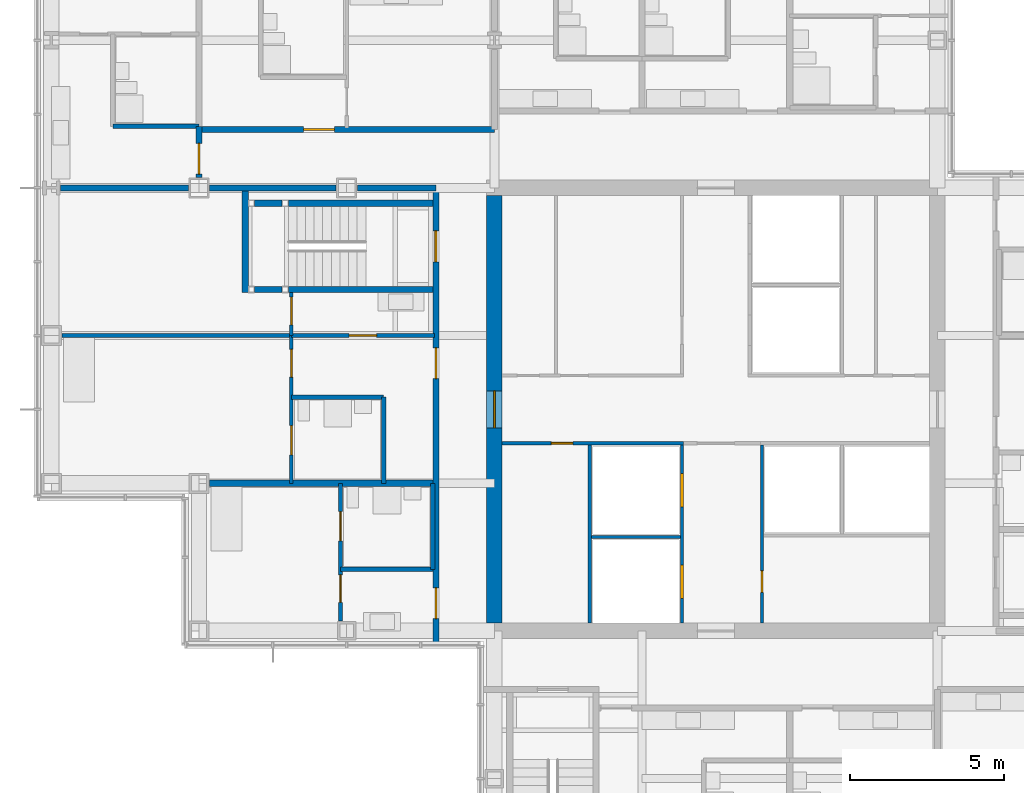
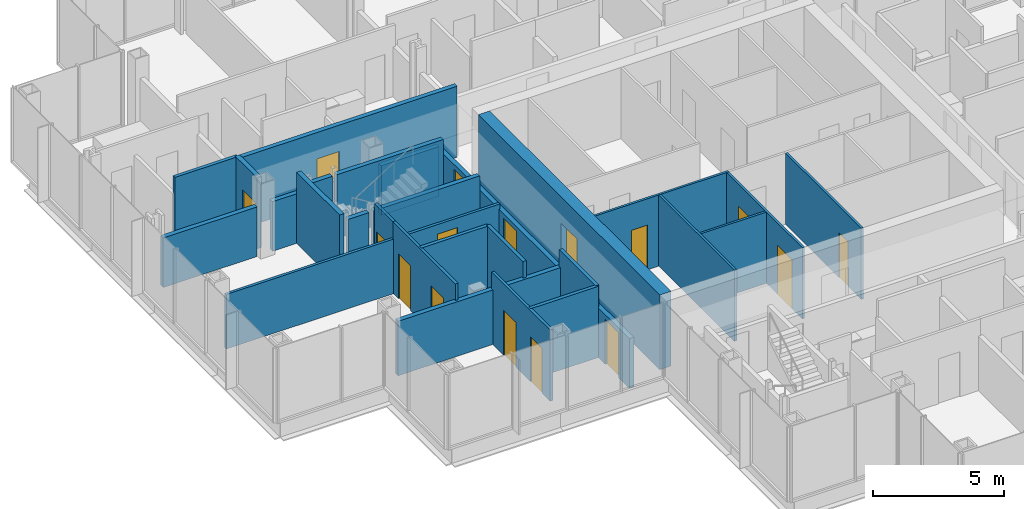
# One storey, part 14 of 20: 28 walls, 16 doors, 16 openings.
"""IFC4 building model written with IfcOpenShell, lengths in metres."""

from ifc_helpers import new_model, si_unit, direction, frame, frame_2d, origin, place, context, subcontext, project, spatial, rectangle, extrude, material, layer, layer_set, type_object, element, fill, save


model = new_model("IFC4")

# Units and contexts
model_context = context("Model", 3, precision=1e-05, world=origin(), true_north=direction((0.0, 1.0)))
body_context = subcontext(model_context, "Body", "Model", "MODEL_VIEW")
ifc_project = project(units=[si_unit("LENGTHUNIT", "METRE"), si_unit("AREAUNIT", "SQUARE_METRE"), si_unit("VOLUMEUNIT", "CUBIC_METRE"), si_unit("PLANEANGLEUNIT", "RADIAN"), si_unit("MASSUNIT", "GRAM", prefix="KILO")], contexts=[model_context])

# Site, building, storey
site_placement = place(None, origin())
site = spatial("IfcSite", under=ifc_project, at=site_placement, CompositionType="ELEMENT")
building_placement = place(site_placement, origin())
building = spatial("IfcBuilding", under=site, at=building_placement, Name="Kvirike Care Tower", CompositionType="ELEMENT")
storey_placement = place(building_placement, frame((0.0, 0.0, 101.5)))
storey = spatial("IfcBuildingStorey", under=building, at=storey_placement, Name="L27", CompositionType="ELEMENT", Elevation=101.5)

# Walls
ifc_material_1 = material(Name="Moisture-resistant board partition", Category="gypsum")
ifc_layer_1 = layer(ifc_material_1, 0.14990234375)
ifc_layer_set_1 = layer_set([ifc_layer_1], Name="BATHROOM WALL 150")
wall_type_1 = type_object("IfcWallType", Name="BATHROOM WALL 150", PredefinedType="PARTITIONING", material=ifc_layer_set_1)
wall_1_placement = place(storey_placement, frame((7.800048828125, 36.39990234375, 0.0), z_axis=(0.0, 0.0, 1.0), x_axis=(1.0, 0.0, 0.0)))
element("IfcWall", 1, at=wall_1_placement, inside=storey, type_object=wall_type_1, Name="Bathroom Wall 150 L27", PredefinedType="PARTITIONING", context=body_context, shape_type="SweptSolid", body=[
    extrude(rectangle(XDim=3.0, YDim=0.14990234375, at=frame_2d((1.5, 0.0))), origin(), (0.0, 0.0, 1.0), 3.330078125),
])
wall_2_placement = place(storey_placement, frame((10.800048828125, 36.39990234375, 0.0), z_axis=(0.0, 0.0, 1.0), x_axis=(0.0, -1.0, 0.0)))
element("IfcWall", 2, at=wall_2_placement, inside=storey, type_object=wall_type_1, Name="Bathroom Wall 150 L27", PredefinedType="PARTITIONING", context=body_context, shape_type="SweptSolid", body=[
    extrude(rectangle(XDim=2.7998046875, YDim=0.14990234375, at=frame_2d((1.39990234375, 0.0))), origin(), (0.0, 0.0, 1.0), 3.330078125),
])
wall_3_placement = place(storey_placement, frame((9.39990234375, 30.800048828125, 0.0), z_axis=(0.0, 0.0, 1.0), x_axis=(1.0, 0.0, 0.0)))
element("IfcWall", 3, at=wall_3_placement, inside=storey, type_object=wall_type_1, Name="Bathroom Wall 150 L27", PredefinedType="PARTITIONING", context=body_context, shape_type="SweptSolid", body=[
    extrude(rectangle(XDim=3.0, YDim=0.14990234375, at=frame_2d((1.5, 0.0))), origin(), (0.0, 0.0, 1.0), 3.330078125),
])
for number, where, z_axis, x_axis, name in (
    (4, (12.39990234375, 33.60009765625, 0.0), (0.0, 0.0, 1.0), (0.0, -1.0, 0.0), "Bathroom Wall 150 L27"),
    (5, (4.800048828125, 45.199951171875, 0.0), (0.0, 0.0, 1.0), (-1.0, 0.0, 0.0), "Bathroom Wall 150 L27"),
):
    element("IfcWall", number, at=place(storey_placement, frame(where, z_axis=z_axis, x_axis=x_axis)), inside=storey, type_object=wall_type_1, Name=name, PredefinedType="PARTITIONING", context=body_context, shape_type="SweptSolid", body=[
        extrude(rectangle(XDim=2.800048828125, YDim=0.14990234375, at=frame_2d((1.39990234375, 0.0))), origin(), (0.0, 0.0, 1.0), 3.330078125),
    ])

# Wall, opening, door
ifc_material_2 = material(Name="Concrete C50/60", Category="concrete")
ifc_layer_2 = layer(ifc_material_2, 0.5)
ifc_layer_set_2 = layer_set([ifc_layer_2], Name="CORE WALL 500 C50-60")
wall_type_2 = type_object("IfcWallType", Name="CORE WALL 500 C50-60", PredefinedType="SHEAR", material=ifc_layer_set_2)
wall_4_placement = place(storey_placement, frame((14.39990234375, 42.949951171875, -0.169921875), z_axis=(0.0, 0.0, 1.0), x_axis=(0.0, -1.0, 0.0)))
wall_4 = element("IfcWall", 6, at=wall_4_placement, inside=storey, type_object=wall_type_2, Name="Core wall W L27", PredefinedType="SHEAR", context=body_context, shape_type="SweptSolid", body=[
    extrude(rectangle(XDim=13.89990234375, YDim=0.5, at=frame_2d((6.949951171875, 0.0))), origin(), (0.0, 0.0, 1.0), 3.5),
])
opening_1_placement = place(wall_4_placement, frame((6.35009765625, 0.0, 0.169921875)))
opening_1 = element("IfcOpeningElement", 7, at=opening_1_placement, cuts=wall_4, Name="Opening 27-065", PredefinedType="OPENING", context=body_context, shape_type="SweptSolid", body=[
    extrude(rectangle(XDim=1.199951171875, YDim=2.10009765625, at=frame_2d((0.60009765625, 1.050048828125))), frame((0.0, 0.260498046875, 0.0), z_axis=(0.0, -1.0, 0.0), x_axis=(1.0, 0.0, 0.0)), (0.0, 0.0, 1.0), 0.52099609375),
])
ifc_material_3 = material(Name="Timber door set", Category="wood")
door_type_1 = type_object("IfcDoorType", Name="CORE DOOR 1200", OperationType="SINGLE_SWING_LEFT", PredefinedType="DOOR", material=ifc_material_3)
door_1_placement = place(opening_1_placement, origin())
door_1 = element("IfcDoor", 8, at=door_1_placement, inside=storey, type_object=door_type_1, Name="Core door W L27", OperationType="SINGLE_SWING_LEFT", OverallHeight=2.10009765625, OverallWidth=1.199951171875, PredefinedType="DOOR", context=body_context, shape_type="SweptSolid", body=[
    extrude(rectangle(XDim=1.199951171875, YDim=2.10009765625, at=frame_2d((0.60009765625, 1.050048828125))), frame((0.0, 0.02685546875, 0.0), z_axis=(0.0, -1.0, 0.0), x_axis=(1.0, 0.0, 0.0)), (0.0, 0.0, 1.0), 0.053955078125),
])
fill(opening_1, door_1)

# Wall, openings, doors
ifc_material_4 = material(Name="Plasterboard corridor wall", Category="gypsum")
ifc_layer_3 = layer(ifc_material_4, 0.199951171875)
ifc_layer_set_3 = layer_set([ifc_layer_3], Name="CORRIDOR WALL 200")
wall_type_3 = type_object("IfcWallType", Name="CORRIDOR WALL 200", PredefinedType="PARTITIONING", material=ifc_layer_set_3)
wall_5_placement = place(storey_placement, frame((12.5, 43.199951171875, 0.0), z_axis=(0.0, 0.0, 1.0), x_axis=(0.0, -1.0, 0.0)))
wall_5 = element("IfcWall", 9, at=wall_5_placement, inside=storey, type_object=wall_type_3, Name="Corridor Wall 200 L27", PredefinedType="PARTITIONING", context=body_context, shape_type="SweptSolid", body=[
    extrude(rectangle(XDim=14.83984375, YDim=0.199951171875, at=frame_2d((7.419921875, 0.0))), origin(), (0.0, 0.0, 1.0), 2.320068359375),
])
opening_2_placement = place(wall_5_placement, frame((1.39990234375, 0.0, 0.0)))
opening_2 = element("IfcOpeningElement", 10, at=opening_2_placement, cuts=wall_5, Name="Opening 27-007", PredefinedType="OPENING", context=body_context, shape_type="SweptSolid", body=[
    extrude(rectangle(XDim=1.0, YDim=2.10009765625, at=frame_2d((0.5, 1.050048828125))), frame((0.0, 0.110595703125, 0.0), z_axis=(0.0, -1.0, 0.0), x_axis=(1.0, 0.0, 0.0)), (0.0, 0.0, 1.0), 0.220947265625),
])
opening_3_placement = place(wall_5_placement, frame((5.199951171875, 0.0, 0.0)))
opening_3 = element("IfcOpeningElement", 11, at=opening_3_placement, cuts=wall_5, Name="Opening 27-008", PredefinedType="OPENING", context=body_context, shape_type="SweptSolid", body=[
    extrude(rectangle(XDim=1.0, YDim=2.10009765625, at=frame_2d((0.5, 1.050048828125))), frame((0.0, 0.110595703125, 0.0), z_axis=(0.0, -1.0, 0.0), x_axis=(1.0, 0.0, 0.0)), (0.0, 0.0, 1.0), 0.220947265625),
])
opening_4_placement = place(wall_5_placement, frame((13.0, 0.0, 0.0)))
opening_4 = element("IfcOpeningElement", 12, at=opening_4_placement, cuts=wall_5, Name="Opening 27-009", PredefinedType="OPENING", context=body_context, shape_type="SweptSolid", body=[
    extrude(rectangle(XDim=1.0, YDim=2.10009765625, at=frame_2d((0.5, 1.050048828125))), frame((0.0, 0.110595703125, 0.0), z_axis=(0.0, -1.0, 0.0), x_axis=(1.0, 0.0, 0.0)), (0.0, 0.0, 1.0), 0.220947265625),
])
ifc_material_5 = material(Name="Timber door set", Category="wood")
door_type_2 = type_object("IfcDoorType", Name="FLAT ENTRANCE DOOR 1000", OperationType="SINGLE_SWING_LEFT", PredefinedType="DOOR", material=ifc_material_5)
door_2_placement = place(opening_3_placement, frame((1.0, 0.0, 0.0), z_axis=(0.0, 0.0, 1.0), x_axis=(-1.0, 0.0, 0.0)))
door_2 = element("IfcDoor", 13, at=door_2_placement, inside=storey, type_object=door_type_2, Name="Assisted living suite entrance", OperationType="SINGLE_SWING_LEFT", OverallHeight=2.10009765625, OverallWidth=1.0, PredefinedType="DOOR", context=body_context, shape_type="SweptSolid", body=[
    extrude(rectangle(XDim=1.0, YDim=2.10009765625, at=frame_2d((0.5, 1.050048828125))), frame((0.0, 0.02685546875, 0.0), z_axis=(0.0, -1.0, 0.0), x_axis=(1.0, 0.0, 0.0)), (0.0, 0.0, 1.0), 0.053955078125),
])
fill(opening_3, door_2)
door_3_placement = place(opening_4_placement, frame((1.0, 0.0, 0.0), z_axis=(0.0, 0.0, 1.0), x_axis=(-1.0, 0.0, 0.0)))
door_3 = element("IfcDoor", 14, at=door_3_placement, inside=storey, type_object=door_type_2, Name="Assisted living suite entrance", OperationType="SINGLE_SWING_RIGHT", OverallHeight=2.10009765625, OverallWidth=1.0, PredefinedType="DOOR", context=body_context, shape_type="SweptSolid", body=[
    extrude(rectangle(XDim=1.0, YDim=2.10009765625, at=frame_2d((0.5, 1.050048828125))), frame((0.0, 0.02685546875, 0.0), z_axis=(0.0, -1.0, 0.0), x_axis=(1.0, 0.0, 0.0)), (0.0, 0.0, 1.0), 0.053955078125),
])
fill(opening_4, door_3)
ifc_material_6 = material(Name="Timber door set", Category="wood")
door_type_3 = type_object("IfcDoorType", Name="STAIR DOOR 1000", OperationType="SINGLE_SWING_LEFT", PredefinedType="DOOR", material=ifc_material_6)
door_4_placement = place(opening_2_placement, frame((1.0, 0.0, 0.0), z_axis=(0.0, 0.0, 1.0), x_axis=(-1.0, 0.0, 0.0)))
door_4 = element("IfcDoor", 15, at=door_4_placement, inside=storey, type_object=door_type_3, Name="Stair 1 door", OperationType="SINGLE_SWING_LEFT", OverallHeight=2.10009765625, OverallWidth=1.0, PredefinedType="DOOR", context=body_context, shape_type="SweptSolid", body=[
    extrude(rectangle(XDim=1.0, YDim=2.10009765625, at=frame_2d((0.5, 1.050048828125))), frame((0.0, 0.031982421875, 0.0), z_axis=(0.0, -1.0, 0.0), x_axis=(1.0, 0.0, 0.0)), (0.0, 0.0, 1.0), 0.06396484375),
])
fill(opening_2, door_4)

# Wall, opening, door
wall_6_placement = place(storey_placement, frame((14.39990234375, 45.10009765625, 0.0), z_axis=(0.0, 0.0, 1.0), x_axis=(-1.0, 0.0, 0.0)))
wall_6 = element("IfcWall", 16, at=wall_6_placement, inside=storey, type_object=wall_type_3, Name="Corridor Wall 200 L27", PredefinedType="PARTITIONING", context=body_context, shape_type="SweptSolid", body=[
    extrude(rectangle(XDim=9.599853515625, YDim=0.199951171875, at=frame_2d((4.7998046875, 0.0))), origin(), (0.0, 0.0, 1.0), 3.330078125),
])
opening_5_placement = place(wall_6_placement, frame((5.199951171875, 0.0, 0.0)))
opening_5 = element("IfcOpeningElement", 17, at=opening_5_placement, cuts=wall_6, Name="Opening 27-016", PredefinedType="OPENING", context=body_context, shape_type="SweptSolid", body=[
    extrude(rectangle(XDim=1.0, YDim=2.10009765625, at=frame_2d((0.5, 1.050048828125))), frame((0.0, 0.110595703125, 0.0), z_axis=(0.0, -1.0, 0.0), x_axis=(1.0, 0.0, 0.0)), (0.0, 0.0, 1.0), 0.220947265625),
])
door_5_placement = place(opening_5_placement, frame((1.0, 0.0, 0.0), z_axis=(0.0, 0.0, 1.0), x_axis=(-1.0, 0.0, 0.0)))
door_5 = element("IfcDoor", 18, at=door_5_placement, inside=storey, type_object=door_type_2, Name="Accessible assisted living suite entrance", OperationType="SINGLE_SWING_LEFT", OverallHeight=2.10009765625, OverallWidth=1.0, PredefinedType="DOOR", context=body_context, shape_type="SweptSolid", body=[
    extrude(rectangle(XDim=1.0, YDim=2.10009765625, at=frame_2d((0.5, 1.050048828125))), frame((0.0, 0.02685546875, 0.0), z_axis=(0.0, -1.0, 0.0), x_axis=(1.0, 0.0, 0.0)), (0.0, 0.0, 1.0), 0.053955078125),
])
fill(opening_5, door_5)

wall_7_placement = place(storey_placement, frame((4.800048828125, 45.199951171875, 0.0), z_axis=(0.0, 0.0, 1.0), x_axis=(0.0, -1.0, 0.0)))
wall_7 = element("IfcWall", 19, at=wall_7_placement, inside=storey, type_object=wall_type_3, Name="Corridor Wall 200 L27", PredefinedType="PARTITIONING", context=body_context, shape_type="SweptSolid", body=[
    extrude(rectangle(XDim=1.655029296875, YDim=0.199951171875, at=frame_2d((0.82763671875, 0.0))), origin(), (0.0, 0.0, 1.0), 3.330078125),
])
opening_6_placement = place(wall_7_placement, frame((0.550048828125, 0.0, 0.0)))
opening_6 = element("IfcOpeningElement", 20, at=opening_6_placement, cuts=wall_7, Name="Opening 27-017", PredefinedType="OPENING", context=body_context, shape_type="SweptSolid", body=[
    extrude(rectangle(XDim=1.0, YDim=2.10009765625, at=frame_2d((0.5, 1.050048828125))), frame((0.0, 0.110595703125, 0.0), z_axis=(0.0, -1.0, 0.0), x_axis=(1.0, 0.0, 0.0)), (0.0, 0.0, 1.0), 0.220947265625),
])
door_6_placement = place(opening_6_placement, frame((1.0, 0.0, 0.0), z_axis=(0.0, 0.0, 1.0), x_axis=(-1.0, 0.0, 0.0)))
door_6 = element("IfcDoor", 21, at=door_6_placement, inside=storey, type_object=door_type_2, Name="Assisted living suite entrance", OperationType="SINGLE_SWING_RIGHT", OverallHeight=2.10009765625, OverallWidth=1.0, PredefinedType="DOOR", context=body_context, shape_type="SweptSolid", body=[
    extrude(rectangle(XDim=1.0, YDim=2.10009765625, at=frame_2d((0.5, 1.050048828125))), frame((0.0, 0.02685546875, 0.0), z_axis=(0.0, -1.0, 0.0), x_axis=(1.0, 0.0, 0.0)), (0.0, 0.0, 1.0), 0.053955078125),
])
fill(opening_6, door_6)

ifc_material_7 = material(Name="Plasterboard partition", Category="gypsum")
ifc_layer_4 = layer(ifc_material_7, 0.1201171875)
ifc_layer_set_4 = layer_set([ifc_layer_4], Name="PARTITION 120")
wall_type_4 = type_object("IfcWallType", Name="PARTITION 120", PredefinedType="PARTITIONING", material=ifc_layer_set_4)
wall_8_placement = place(storey_placement, frame((7.800048828125, 38.39990234375, 0.0), z_axis=(0.0, 0.0, 1.0), x_axis=(1.0, 0.0, 0.0)))
wall_8 = element("IfcWall", 22, at=wall_8_placement, inside=storey, type_object=wall_type_4, Name="Partition 120 L27", PredefinedType="PARTITIONING", context=body_context, shape_type="SweptSolid", body=[
    extrude(rectangle(XDim=4.64990234375, YDim=0.1201171875, at=frame_2d((2.324951171875, 0.0))), origin(), (0.0, 0.0, 1.0), 2.550048828125),
])
opening_7_placement = place(wall_8_placement, frame((1.875, 0.0, 0.0)))
opening_7 = element("IfcOpeningElement", 23, at=opening_7_placement, cuts=wall_8, Name="Opening 27-001", PredefinedType="OPENING", context=body_context, shape_type="SweptSolid", body=[
    extrude(rectangle(XDim=0.89990234375, YDim=2.10009765625, at=frame_2d((0.449951171875, 1.050048828125))), frame((0.0, 0.070556640625, 0.0), z_axis=(0.0, -1.0, 0.0), x_axis=(1.0, 0.0, 0.0)), (0.0, 0.0, 1.0), 0.14111328125),
])
ifc_material_8 = material(Name="Timber door set", Category="wood")
door_type_4 = type_object("IfcDoorType", Name="INTERNAL DOOR 900", OperationType="SINGLE_SWING_LEFT", PredefinedType="DOOR", material=ifc_material_8)
door_7_placement = place(opening_7_placement, origin())
door_7 = element("IfcDoor", 24, at=door_7_placement, inside=storey, type_object=door_type_4, Name="Hall door", OperationType="SINGLE_SWING_LEFT", OverallHeight=2.10009765625, OverallWidth=0.89990234375, PredefinedType="DOOR", context=body_context, shape_type="SweptSolid", body=[
    extrude(rectangle(XDim=0.89990234375, YDim=2.10009765625, at=frame_2d((0.449951171875, 1.050048828125))), frame((0.0, 0.02197265625, 0.0), z_axis=(0.0, -1.0, 0.0), x_axis=(1.0, 0.0, 0.0)), (0.0, 0.0, 1.0), 0.0439453125),
])
fill(opening_7, door_7)

wall_9_placement = place(storey_placement, frame((7.800048828125, 39.800048828125, 0.0), z_axis=(0.0, 0.0, 1.0), x_axis=(0.0, -1.0, 0.0)))
wall_9 = element("IfcWall", 25, at=wall_9_placement, inside=storey, type_object=wall_type_4, Name="Partition 120 L27", PredefinedType="PARTITIONING", context=body_context, shape_type="SweptSolid", body=[
    extrude(rectangle(XDim=1.400146484375, YDim=0.1201171875, at=frame_2d((0.7001953125, 0.0))), origin(), (0.0, 0.0, 1.0), 3.330078125),
])
opening_8_placement = place(wall_9_placement, frame((0.14990234375, 0.0, 0.0)))
opening_8 = element("IfcOpeningElement", 26, at=opening_8_placement, cuts=wall_9, Name="Opening 27-002", PredefinedType="OPENING", context=body_context, shape_type="SweptSolid", body=[
    extrude(rectangle(XDim=0.89990234375, YDim=2.10009765625, at=frame_2d((0.449951171875, 1.050048828125))), frame((0.0, 0.070556640625, 0.0), z_axis=(0.0, -1.0, 0.0), x_axis=(1.0, 0.0, 0.0)), (0.0, 0.0, 1.0), 0.14111328125),
])
door_8_placement = place(opening_8_placement, origin())
door_8 = element("IfcDoor", 27, at=door_8_placement, inside=storey, type_object=door_type_4, Name="Suite sitting room door", OperationType="SINGLE_SWING_RIGHT", OverallHeight=2.10009765625, OverallWidth=0.89990234375, PredefinedType="DOOR", context=body_context, shape_type="SweptSolid", body=[
    extrude(rectangle(XDim=0.89990234375, YDim=2.10009765625, at=frame_2d((0.449951171875, 1.050048828125))), frame((0.0, 0.02197265625, 0.0), z_axis=(0.0, -1.0, 0.0), x_axis=(1.0, 0.0, 0.0)), (0.0, 0.0, 1.0), 0.0439453125),
])
fill(opening_8, door_8)

# Wall, openings, doors
wall_10_placement = place(storey_placement, frame((7.800048828125, 38.39990234375, 0.0), z_axis=(0.0, 0.0, 1.0), x_axis=(0.0, -1.0, 0.0)))
wall_10 = element("IfcWall", 28, at=wall_10_placement, inside=storey, type_object=wall_type_4, Name="Partition 120 L27", PredefinedType="PARTITIONING", context=body_context, shape_type="SweptSolid", body=[
    extrude(rectangle(XDim=4.7998046875, YDim=0.1201171875, at=frame_2d((2.39990234375, 0.0))), origin(), (0.0, 0.0, 1.0), 3.330078125),
])
opening_9_placement = place(wall_10_placement, frame((0.449951171875, 0.0, 0.0)))
opening_9 = element("IfcOpeningElement", 29, at=opening_9_placement, cuts=wall_10, Name="Opening 27-003", PredefinedType="OPENING", context=body_context, shape_type="SweptSolid", body=[
    extrude(rectangle(XDim=0.89990234375, YDim=2.10009765625, at=frame_2d((0.449951171875, 1.050048828125))), frame((0.0, 0.070556640625, 0.0), z_axis=(0.0, -1.0, 0.0), x_axis=(1.0, 0.0, 0.0)), (0.0, 0.0, 1.0), 0.14111328125),
])
opening_10_placement = place(wall_10_placement, frame((2.925048828125, 0.0, 0.0)))
opening_10 = element("IfcOpeningElement", 30, at=opening_10_placement, cuts=wall_10, Name="Opening 27-004", PredefinedType="OPENING", context=body_context, shape_type="SweptSolid", body=[
    extrude(rectangle(XDim=0.949951171875, YDim=2.10009765625, at=frame_2d((0.47509765625, 1.050048828125))), frame((0.0, 0.070556640625, 0.0), z_axis=(0.0, -1.0, 0.0), x_axis=(1.0, 0.0, 0.0)), (0.0, 0.0, 1.0), 0.14111328125),
])
ifc_material_9 = material(Name="Timber door set", Category="wood")
door_type_5 = type_object("IfcDoorType", Name="EN-SUITE SLIDING DOOR 950", OperationType="SLIDING_TO_LEFT", PredefinedType="DOOR", material=ifc_material_9)
door_9_placement = place(opening_10_placement, origin())
door_9 = element("IfcDoor", 31, at=door_9_placement, inside=storey, type_object=door_type_5, Name="En-suite door", OperationType="SLIDING_TO_LEFT", OverallHeight=2.10009765625, OverallWidth=0.949951171875, PredefinedType="DOOR", context=body_context, shape_type="SweptSolid", body=[
    extrude(rectangle(XDim=0.949951171875, YDim=2.10009765625, at=frame_2d((0.47509765625, 1.050048828125))), frame((0.0, 0.02197265625, 0.0), z_axis=(0.0, -1.0, 0.0), x_axis=(1.0, 0.0, 0.0)), (0.0, 0.0, 1.0), 0.0439453125),
])
fill(opening_10, door_9)
door_10_placement = place(opening_9_placement, origin())
door_10 = element("IfcDoor", 32, at=door_10_placement, inside=storey, type_object=door_type_4, Name="Assisted living suite door", OperationType="SINGLE_SWING_RIGHT", OverallHeight=2.10009765625, OverallWidth=0.89990234375, PredefinedType="DOOR", context=body_context, shape_type="SweptSolid", body=[
    extrude(rectangle(XDim=0.89990234375, YDim=2.10009765625, at=frame_2d((0.449951171875, 1.050048828125))), frame((0.0, 0.02197265625, 0.0), z_axis=(0.0, -1.0, 0.0), x_axis=(1.0, 0.0, 0.0)), (0.0, 0.0, 1.0), 0.0439453125),
])
fill(opening_9, door_10)

# Wall
wall_11_placement = place(storey_placement, frame((0.344970703125, 38.39990234375, 0.0), z_axis=(0.0, 0.0, 1.0), x_axis=(1.0, 0.0, 0.0)))
element("IfcWall", 33, at=wall_11_placement, inside=storey, type_object=wall_type_4, Name="Partition 120 L27", PredefinedType="PARTITIONING", context=body_context, shape_type="SweptSolid", body=[
    extrude(rectangle(XDim=7.455078125, YDim=0.1201171875, at=frame_2d((3.7275390625, 0.0))), origin(), (0.0, 0.0, 1.0), 2.550048828125),
])

# Wall, openings, doors
wall_12_placement = place(storey_placement, frame((9.39990234375, 33.60009765625, 0.0), z_axis=(0.0, 0.0, 1.0), x_axis=(0.0, -1.0, 0.0)))
wall_12 = element("IfcWall", 34, at=wall_12_placement, inside=storey, type_object=wall_type_4, Name="Partition 120 L27", PredefinedType="PARTITIONING", context=body_context, shape_type="SweptSolid", body=[
    extrude(rectangle(XDim=4.47998046875, YDim=0.1201171875, at=frame_2d((2.239990234375, 0.0))), origin(), (0.0, 0.0, 1.0), 3.330078125),
])
opening_11_placement = place(wall_12_placement, frame((2.97509765625, 0.0, 0.0)))
opening_11 = element("IfcOpeningElement", 35, at=opening_11_placement, cuts=wall_12, Name="Opening 27-005", PredefinedType="OPENING", context=body_context, shape_type="SweptSolid", body=[
    extrude(rectangle(XDim=0.89990234375, YDim=2.10009765625, at=frame_2d((0.449951171875, 1.050048828125))), frame((0.0, 0.070556640625, 0.0), z_axis=(0.0, -1.0, 0.0), x_axis=(1.0, 0.0, 0.0)), (0.0, 0.0, 1.0), 0.14111328125),
])
opening_12_placement = place(wall_12_placement, frame((0.925048828125, 0.0, 0.0)))
opening_12 = element("IfcOpeningElement", 36, at=opening_12_placement, cuts=wall_12, Name="Opening 27-006", PredefinedType="OPENING", context=body_context, shape_type="SweptSolid", body=[
    extrude(rectangle(XDim=0.949951171875, YDim=2.10009765625, at=frame_2d((0.47509765625, 1.050048828125))), frame((0.0, 0.070556640625, 0.0), z_axis=(0.0, -1.0, 0.0), x_axis=(1.0, 0.0, 0.0)), (0.0, 0.0, 1.0), 0.14111328125),
])
door_11_placement = place(opening_12_placement, origin())
door_11 = element("IfcDoor", 37, at=door_11_placement, inside=storey, type_object=door_type_5, Name="En-suite door", OperationType="SLIDING_TO_RIGHT", OverallHeight=2.10009765625, OverallWidth=0.949951171875, PredefinedType="DOOR", context=body_context, shape_type="SweptSolid", body=[
    extrude(rectangle(XDim=0.949951171875, YDim=2.10009765625, at=frame_2d((0.47509765625, 1.050048828125))), frame((0.0, 0.02197265625, 0.0), z_axis=(0.0, -1.0, 0.0), x_axis=(1.0, 0.0, 0.0)), (0.0, 0.0, 1.0), 0.0439453125),
])
fill(opening_12, door_11)
door_12_placement = place(opening_11_placement, origin())
door_12 = element("IfcDoor", 38, at=door_12_placement, inside=storey, type_object=door_type_4, Name="Assisted living suite door", OperationType="SINGLE_SWING_RIGHT", OverallHeight=2.10009765625, OverallWidth=0.89990234375, PredefinedType="DOOR", context=body_context, shape_type="SweptSolid", body=[
    extrude(rectangle(XDim=0.89990234375, YDim=2.10009765625, at=frame_2d((0.449951171875, 1.050048828125))), frame((0.0, 0.02197265625, 0.0), z_axis=(0.0, -1.0, 0.0), x_axis=(1.0, 0.0, 0.0)), (0.0, 0.0, 1.0), 0.0439453125),
])
fill(opening_11, door_12)

# Walls
ifc_material_10 = material(Name="Plasterboard party wall", Category="gypsum")
ifc_layer_5 = layer(ifc_material_10, 0.199951171875)
ifc_layer_set_5 = layer_set([ifc_layer_5], Name="PARTY WALL 200")
wall_type_5 = type_object("IfcWallType", Name="PARTY WALL 200", PredefinedType="PARTITIONING", material=ifc_layer_set_5)
wall_13_placement = place(storey_placement, frame((5.14501953125, 33.60009765625, 0.0), z_axis=(0.0, 0.0, 1.0), x_axis=(1.0, 0.0, 0.0)))
element("IfcWall", 39, at=wall_13_placement, inside=storey, type_object=wall_type_5, Name="Party Wall 200 L27", PredefinedType="PARTITIONING", context=body_context, shape_type="SweptSolid", body=[
    extrude(rectangle(XDim=7.2548828125, YDim=0.199951171875, at=frame_2d((3.62744140625, 0.0))), origin(), (0.0, 0.0, 1.0), 2.550048828125),
])
wall_14_placement = place(storey_placement, frame((12.5, 43.199951171875, 0.0), z_axis=(0.0, 0.0, 1.0), x_axis=(-1.0, 0.0, 0.0)))
element("IfcWall", 40, at=wall_14_placement, inside=storey, type_object=wall_type_5, Name="Party Wall 200 L27", PredefinedType="PARTITIONING", context=body_context, shape_type="SweptSolid", body=[
    extrude(rectangle(XDim=2.554931640625, YDim=0.199951171875, at=frame_2d((1.27734375, 0.0))), origin(), (0.0, 0.0, 1.0), 2.320068359375),
])
wall_15_placement = place(storey_placement, frame((9.2548828125, 43.199951171875, 0.0), z_axis=(0.0, 0.0, 1.0), x_axis=(-1.0, 0.0, 0.0)))
element("IfcWall", 41, at=wall_15_placement, inside=storey, type_object=wall_type_5, Name="Party Wall 200 L27", PredefinedType="PARTITIONING", context=body_context, shape_type="SweptSolid", body=[
    extrude(rectangle(XDim=4.10986328125, YDim=0.199951171875, at=frame_2d((2.054931640625, 0.0))), origin(), (0.0, 0.0, 1.0), 2.320068359375),
])
wall_16_placement = place(storey_placement, frame((4.455078125, 43.199951171875, 0.0), z_axis=(0.0, 0.0, 1.0), x_axis=(-1.0, 0.0, 0.0)))
element("IfcWall", 42, at=wall_16_placement, inside=storey, type_object=wall_type_5, Name="Party Wall 200 L27", PredefinedType="PARTITIONING", context=body_context, shape_type="SweptSolid", body=[
    extrude(rectangle(XDim=4.150634765625, YDim=0.199951171875, at=frame_2d((2.0751953125, 0.0))), origin(), (0.0, 0.0, 1.0), 2.320068359375),
])

# Wall, openings, doors
ifc_material_11 = material(Name="Gypsum shaft wall system", Category="gypsum")
ifc_layer_6 = layer(ifc_material_11, 0.10009765625)
ifc_layer_set_6 = layer_set([ifc_layer_6], Name="SHAFT WALL 100")
wall_type_6 = type_object("IfcWallType", Name="SHAFT WALL 100", PredefinedType="SOLIDWALL", material=ifc_layer_set_6)
wall_17_placement = place(storey_placement, frame((20.5, 29.050048828125, 0.0), z_axis=(0.0, 0.0, 1.0), x_axis=(0.0, 1.0, 0.0)))
wall_17 = element("IfcWall", 43, at=wall_17_placement, inside=storey, type_object=wall_type_6, Name="Shaft Wall 100 L27", PredefinedType="SOLIDWALL", context=body_context, shape_type="SweptSolid", body=[
    extrude(rectangle(XDim=5.800048828125, YDim=0.10009765625, at=frame_2d((2.89990234375, 0.0))), origin(), (0.0, 0.0, 1.0), 3.330078125),
])
opening_13_placement = place(wall_17_placement, frame((0.800048828125, 0.0, 0.0)))
opening_13 = element("IfcOpeningElement", 44, at=opening_13_placement, cuts=wall_17, Name="Opening 27-052", PredefinedType="OPENING", context=body_context, shape_type="SweptSolid", body=[
    extrude(rectangle(XDim=1.10009765625, YDim=2.300048828125, at=frame_2d((0.550048828125, 1.14990234375))), frame((0.0, 0.060546875, 0.0), z_axis=(0.0, -1.0, 0.0), x_axis=(1.0, 0.0, 0.0)), (0.0, 0.0, 1.0), 0.12109375),
])
opening_14_placement = place(wall_17_placement, frame((3.77490234375, 0.0, 0.0)))
opening_14 = element("IfcOpeningElement", 45, at=opening_14_placement, cuts=wall_17, Name="Opening 27-053", PredefinedType="OPENING", context=body_context, shape_type="SweptSolid", body=[
    extrude(rectangle(XDim=1.10009765625, YDim=2.300048828125, at=frame_2d((0.550048828125, 1.14990234375))), frame((0.0, 0.060546875, 0.0), z_axis=(0.0, -1.0, 0.0), x_axis=(1.0, 0.0, 0.0)), (0.0, 0.0, 1.0), 0.12109375),
])
ifc_material_12 = material(Name="Aluminium door frame", Category="aluminium")
door_type_6 = type_object("IfcDoorType", Name="FIRE-FIGHTING LIFT LANDING DOOR 1100", OperationType="SLIDING_TO_LEFT", PredefinedType="DOOR", material=ifc_material_12)
door_13_placement = place(opening_13_placement, origin())
door_13 = element("IfcDoor", 46, at=door_13_placement, inside=storey, type_object=door_type_6, Name="Lift FF1 landing door", OperationType="SLIDING_TO_LEFT", OverallHeight=2.300048828125, OverallWidth=1.10009765625, PredefinedType="DOOR", context=body_context, shape_type="SweptSolid", body=[
    extrude(rectangle(XDim=1.10009765625, YDim=2.300048828125, at=frame_2d((0.550048828125, 1.14990234375))), frame((0.0, 0.0498046875, 0.0), z_axis=(0.0, -1.0, 0.0), x_axis=(1.0, 0.0, 0.0)), (0.0, 0.0, 1.0), 0.099609375),
])
fill(opening_13, door_13)
door_14_placement = place(opening_14_placement, origin())
door_14 = element("IfcDoor", 47, at=door_14_placement, inside=storey, type_object=door_type_6, Name="Lift FF2 landing door", OperationType="SLIDING_TO_LEFT", OverallHeight=2.300048828125, OverallWidth=1.10009765625, PredefinedType="DOOR", context=body_context, shape_type="SweptSolid", body=[
    extrude(rectangle(XDim=1.10009765625, YDim=2.300048828125, at=frame_2d((0.550048828125, 1.14990234375))), frame((0.0, 0.0498046875, 0.0), z_axis=(0.0, -1.0, 0.0), x_axis=(1.0, 0.0, 0.0)), (0.0, 0.0, 1.0), 0.099609375),
])
fill(opening_14, door_14)

# Wall, opening, door
wall_18_placement = place(storey_placement, frame((23.10009765625, 29.050048828125, 0.0), z_axis=(0.0, 0.0, 1.0), x_axis=(0.0, 1.0, 0.0)))
wall_18 = element("IfcWall", 48, at=wall_18_placement, inside=storey, type_object=wall_type_6, Name="Shaft Wall 100 L27", PredefinedType="SOLIDWALL", context=body_context, shape_type="SweptSolid", body=[
    extrude(rectangle(XDim=5.800048828125, YDim=0.10009765625, at=frame_2d((2.89990234375, 0.0))), origin(), (0.0, 0.0, 1.0), 3.330078125),
])
opening_15_placement = place(wall_18_placement, frame((1.0, 0.0, 0.0)))
opening_15 = element("IfcOpeningElement", 49, at=opening_15_placement, cuts=wall_18, Name="Opening 27-057", PredefinedType="OPENING", context=body_context, shape_type="SweptSolid", body=[
    extrude(rectangle(XDim=0.699951171875, YDim=2.10009765625, at=frame_2d((0.35009765625, 1.050048828125))), frame((0.0, 0.060546875, 0.0), z_axis=(0.0, -1.0, 0.0), x_axis=(1.0, 0.0, 0.0)), (0.0, 0.0, 1.0), 0.12109375),
])
ifc_material_13 = material(Name="Timber door set", Category="wood")
door_type_7 = type_object("IfcDoorType", Name="RISER DOOR 700", OperationType="SINGLE_SWING_LEFT", PredefinedType="DOOR", material=ifc_material_13)
door_15_placement = place(opening_15_placement, origin())
door_15 = element("IfcDoor", 50, at=door_15_placement, inside=storey, type_object=door_type_7, Name="Riser door", OperationType="SINGLE_SWING_RIGHT", OverallHeight=2.10009765625, OverallWidth=0.699951171875, PredefinedType="DOOR", context=body_context, shape_type="SweptSolid", body=[
    extrude(rectangle(XDim=0.699951171875, YDim=2.10009765625, at=frame_2d((0.35009765625, 1.050048828125))), frame((0.0, 0.02685546875, 0.0), z_axis=(0.0, -1.0, 0.0), x_axis=(1.0, 0.0, 0.0)), (0.0, 0.0, 1.0), 0.053955078125),
])
fill(opening_15, door_15)

wall_19_placement = place(storey_placement, frame((14.64990234375, 34.89990234375, 0.0), z_axis=(0.0, 0.0, 1.0), x_axis=(1.0, 0.0, 0.0)))
wall_19 = element("IfcWall", 51, at=wall_19_placement, inside=storey, type_object=wall_type_6, Name="Shaft Wall 100 L27", PredefinedType="SOLIDWALL", context=body_context, shape_type="SweptSolid", body=[
    extrude(rectangle(XDim=5.900146484375, YDim=0.10009765625, at=frame_2d((2.9501953125, 0.0))), origin(), (0.0, 0.0, 1.0), 3.330078125),
])
opening_16_placement = place(wall_19_placement, frame((1.60009765625, 0.0, 0.0)))
opening_16 = element("IfcOpeningElement", 52, at=opening_16_placement, cuts=wall_19, Name="Opening 27-058", PredefinedType="OPENING", context=body_context, shape_type="SweptSolid", body=[
    extrude(rectangle(XDim=0.699951171875, YDim=2.10009765625, at=frame_2d((0.35009765625, 1.050048828125))), frame((0.0, 0.060546875, 0.0), z_axis=(0.0, -1.0, 0.0), x_axis=(1.0, 0.0, 0.0)), (0.0, 0.0, 1.0), 0.12109375),
])
door_16_placement = place(opening_16_placement, frame((0.699951171875, 0.0, 0.0), z_axis=(0.0, 0.0, 1.0), x_axis=(-1.0, 0.0, 0.0)))
door_16 = element("IfcDoor", 53, at=door_16_placement, inside=storey, type_object=door_type_7, Name="Riser door", OperationType="SINGLE_SWING_RIGHT", OverallHeight=2.10009765625, OverallWidth=0.699951171875, PredefinedType="DOOR", context=body_context, shape_type="SweptSolid", body=[
    extrude(rectangle(XDim=0.699951171875, YDim=2.10009765625, at=frame_2d((0.35009765625, 1.050048828125))), frame((0.0, 0.02685546875, 0.0), z_axis=(0.0, -1.0, 0.0), x_axis=(1.0, 0.0, 0.0)), (0.0, 0.0, 1.0), 0.053955078125),
])
fill(opening_16, door_16)

# Walls
wall_20_placement = place(storey_placement, frame((17.5, 29.050048828125, 0.0), z_axis=(0.0, 0.0, 1.0), x_axis=(0.0, 1.0, 0.0)))
element("IfcWall", 54, at=wall_20_placement, inside=storey, type_object=wall_type_6, Name="Shaft Wall 100 L27", PredefinedType="SOLIDWALL", context=body_context, shape_type="SweptSolid", body=[
    extrude(rectangle(XDim=5.800048828125, YDim=0.10009765625, at=frame_2d((2.89990234375, 0.0))), origin(), (0.0, 0.0, 1.0), 3.330078125),
])
wall_21_placement = place(storey_placement, frame((17.550048828125, 31.85009765625, 0.0), z_axis=(0.0, 0.0, 1.0), x_axis=(1.0, 0.0, 0.0)))
element("IfcWall", 55, at=wall_21_placement, inside=storey, type_object=wall_type_6, Name="Shaft Wall 100 L27", PredefinedType="SOLIDWALL", context=body_context, shape_type="SweptSolid", body=[
    extrude(rectangle(XDim=2.89990234375, YDim=0.10009765625, at=frame_2d((1.449951171875, 0.0))), origin(), (0.0, 0.0, 1.0), 3.330078125),
])
ifc_material_14 = material(Name="Concrete C40/50", Category="concrete")
ifc_layer_7 = layer(ifc_material_14, 0.199951171875)
ifc_layer_set_7 = layer_set([ifc_layer_7], Name="STAIR WALL 200")
wall_type_7 = type_object("IfcWallType", Name="STAIR WALL 200", PredefinedType="SOLIDWALL", material=ifc_layer_set_7)
wall_22_placement = place(storey_placement, frame((6.60009765625, 42.699951171875, 0.0), z_axis=(0.0, 0.0, 1.0), x_axis=(1.0, 0.0, 0.0)))
element("IfcWall", 56, at=wall_22_placement, inside=storey, type_object=wall_type_7, Name="Stair Wall 200 L27", PredefinedType="SOLIDWALL", context=body_context, shape_type="SweptSolid", body=[
    extrude(rectangle(XDim=0.89990234375, YDim=0.199951171875, at=frame_2d((0.449951171875, 0.0))), origin(), (0.0, 0.0, 1.0), 2.989990234375),
])
wall_23_placement = place(storey_placement, frame((7.699951171875, 42.699951171875, 0.0), z_axis=(0.0, 0.0, 1.0), x_axis=(1.0, 0.0, 0.0)))
element("IfcWall", 57, at=wall_23_placement, inside=storey, type_object=wall_type_7, Name="Stair Wall 200 L27", PredefinedType="SOLIDWALL", context=body_context, shape_type="SweptSolid", body=[
    extrude(rectangle(XDim=4.699951171875, YDim=0.199951171875, at=frame_2d((2.35009765625, 0.0))), origin(), (0.0, 0.0, 1.0), 2.989990234375),
])
wall_24_placement = place(storey_placement, frame((6.60009765625, 39.89990234375, 0.0), z_axis=(0.0, 0.0, 1.0), x_axis=(1.0, 0.0, 0.0)))
element("IfcWall", 58, at=wall_24_placement, inside=storey, type_object=wall_type_7, Name="Stair Wall 200 L27", PredefinedType="SOLIDWALL", context=body_context, shape_type="SweptSolid", body=[
    extrude(rectangle(XDim=0.89990234375, YDim=0.199951171875, at=frame_2d((0.449951171875, 0.0))), origin(), (0.0, 0.0, 1.0), 2.989990234375),
])
wall_25_placement = place(storey_placement, frame((7.699951171875, 39.89990234375, 0.0), z_axis=(0.0, 0.0, 1.0), x_axis=(1.0, 0.0, 0.0)))
element("IfcWall", 59, at=wall_25_placement, inside=storey, type_object=wall_type_7, Name="Stair Wall 200 L27", PredefinedType="SOLIDWALL", context=body_context, shape_type="SweptSolid", body=[
    extrude(rectangle(XDim=4.699951171875, YDim=0.199951171875, at=frame_2d((2.35009765625, 0.0))), origin(), (0.0, 0.0, 1.0), 2.989990234375),
])
wall_26_placement = place(storey_placement, frame((6.300048828125, 43.10009765625, 0.0), z_axis=(0.0, 0.0, 1.0), x_axis=(0.0, -1.0, 0.0)))
element("IfcWall", 60, at=wall_26_placement, inside=storey, type_object=wall_type_7, Name="Stair Wall 200 L27", PredefinedType="SOLIDWALL", context=body_context, shape_type="SweptSolid", body=[
    extrude(rectangle(XDim=3.300048828125, YDim=0.199951171875, at=frame_2d((1.64990234375, 0.0))), origin(), (0.0, 0.0, 1.0), 3.330078125),
])

save(model, "model.ifc")
